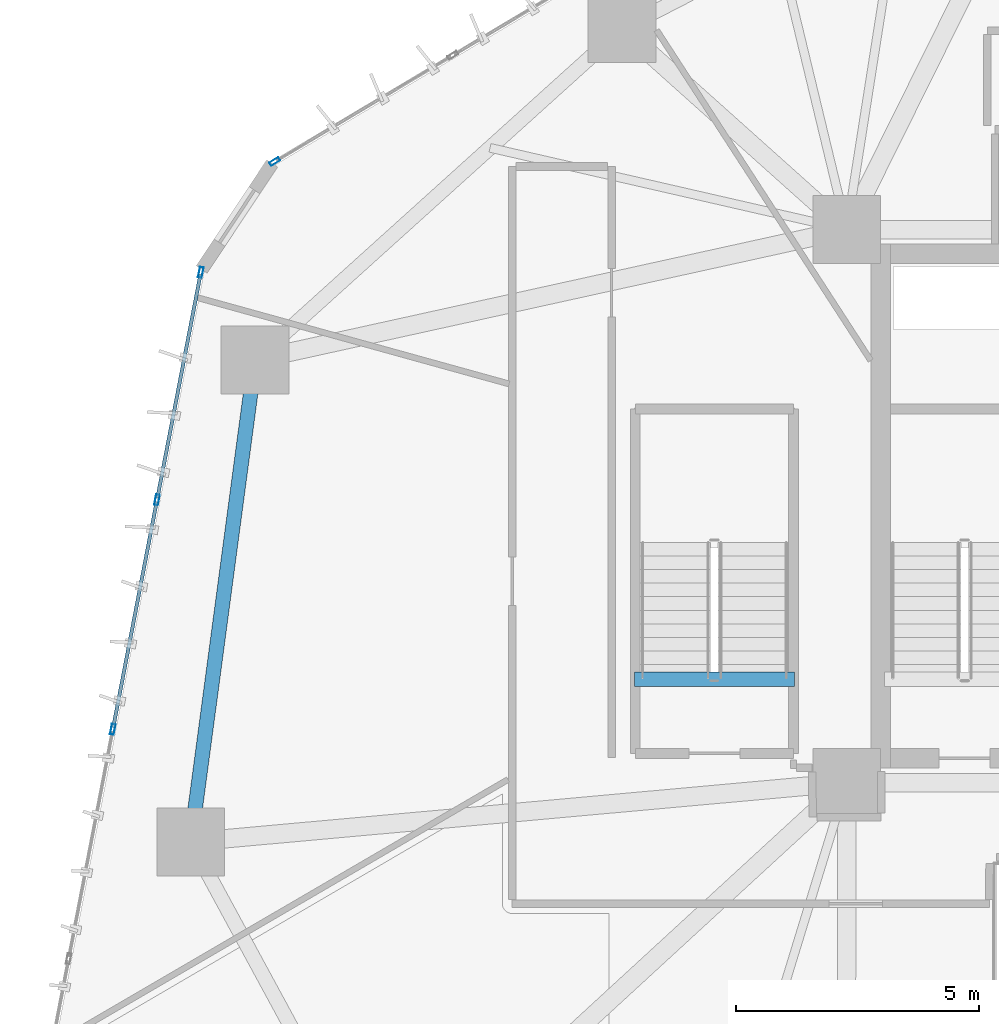
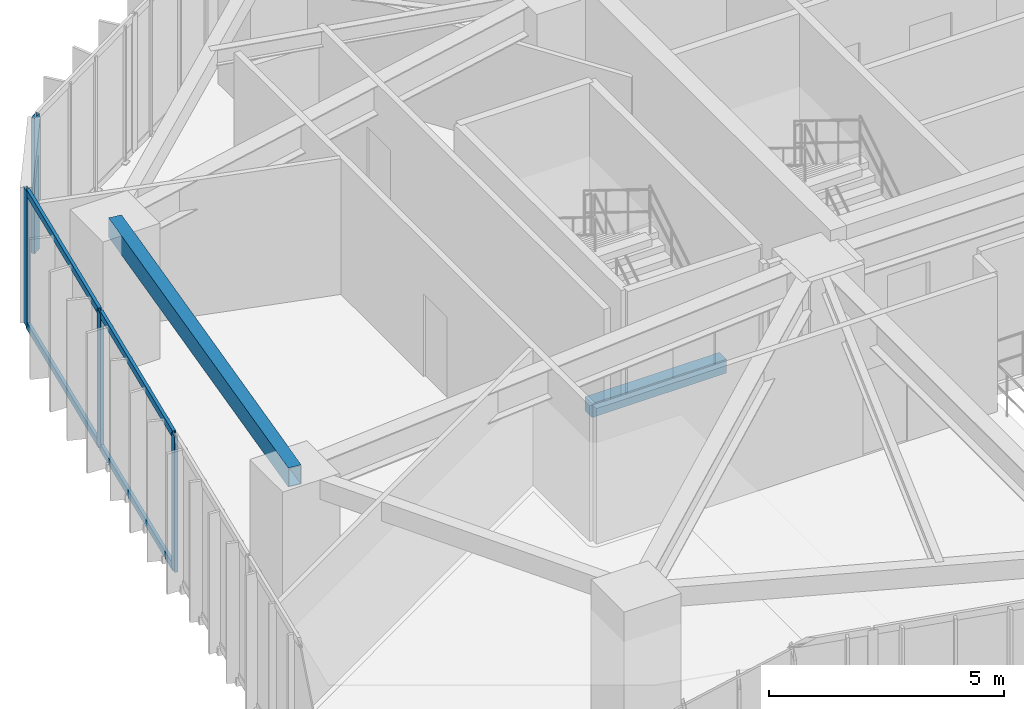
# One storey, part 6 of 23: 8 members, 2 beams, 2 elements without a shape of their own.
"""IFC4 building model written with IfcOpenShell, lengths in metres."""

from ifc_helpers import new_model, si_unit, direction, frame, origin, origin_2d, place, context, subcontext, project, spatial, rectangle, hollow_rectangle, extrude, source, transform, mapped, material, layer, layer_set, material_profile, profile_set, type_object, type_shapes, element, aggregate, save


model = new_model("IFC4")

# Units and contexts
model_context = context("Model", 3, precision=1e-05, world=origin(), true_north=direction((0.0, 1.0)))
body_context = subcontext(model_context, "Body", "Model", "MODEL_VIEW")
ifc_project = project(units=[si_unit("LENGTHUNIT", "METRE"), si_unit("AREAUNIT", "SQUARE_METRE"), si_unit("VOLUMEUNIT", "CUBIC_METRE"), si_unit("PLANEANGLEUNIT", "RADIAN"), si_unit("MASSUNIT", "GRAM", prefix="KILO")], contexts=[model_context])

# Site, building, storey
site_placement = place(None, origin())
site = spatial("IfcSite", under=ifc_project, at=site_placement, CompositionType="ELEMENT")
building_placement = place(site_placement, origin())
building = spatial("IfcBuilding", under=site, at=building_placement, Name="Talar Marvaseh", CompositionType="ELEMENT")
storey_placement = place(building_placement, frame((0.0, 0.0, 50.60009765625)))
storey = spatial("IfcBuildingStorey", under=building, at=storey_placement, Name="L12", CompositionType="ELEMENT", Elevation=50.60009765625)

# Beams
ifc_material_1 = material(Name="Concrete C40/50", Category="concrete")
ifc_material_profile_1 = material_profile(ifc_material_1, rectangle(XDim=0.300048828125, YDim=0.360107421875, at=origin_2d()), Name="RC300x360")
ifc_profile_set_1 = profile_set([ifc_material_profile_1], Name="Concrete C40/50")
beam_type_1 = type_object("IfcBeamType", Name="Concrete Stair Landing Trimmer Beam RC300x360", PredefinedType="SPANDREL", material=ifc_profile_set_1)
beam_1_placement = place(storey_placement, frame((17.6201171875, 27.6298828125, -0.18017578125), z_axis=(-1.0, 0.0, 0.0), x_axis=(0.0, -1.0, 0.0)))
element("IfcBeam", 1, at=beam_1_placement, inside=storey, type_object=beam_type_1, Name="L12 ST-3 Stair Nosing Trimmer Beam", PredefinedType="SPANDREL", context=body_context, shape_type="SweptSolid", body=[
    extrude(rectangle(XDim=0.300048828125, YDim=0.360107421875, at=origin_2d()), origin(), (0.0, 0.0, 1.0), 3.300048828125),
])
ifc_material_2 = material(Name="Steel S355", Category="steel")
ifc_material_profile_2 = material_profile(ifc_material_2, hollow_rectangle(XDim=0.300048828125, YDim=0.5, WallThickness=0.02001953125, at=origin_2d()), Name="RHS500x300x20")
ifc_profile_set_2 = profile_set([ifc_material_profile_2], Name="Steel S355")
beam_type_2 = type_object("IfcBeamType", Name="Zone 1 Perimeter Spandrel Beam RHS500x300x20", PredefinedType="SPANDREL", material=ifc_profile_set_2)
beam_2_placement = place(storey_placement, frame((5.175048828125, 24.27587890625, 3.27001953125), z_axis=(0.132340758564, 0.991204279461, 0.0), x_axis=(-0.991204279461, 0.132340758564, 0.0)))
element("IfcBeam", 2, at=beam_2_placement, inside=storey, type_object=beam_type_2, Name="L12 Zone 1 Perimeter Spandrel Beam RHS500x300x20", PredefinedType="SPANDREL", context=body_context, shape_type="SweptSolid", body=[
    extrude(hollow_rectangle(XDim=0.300048828125, YDim=0.5, WallThickness=0.02001953125, at=origin_2d()), origin(), (0.0, 0.0, 1.0), 10.0263671875),
])

# Curtain wall, members
ifc_material_3 = material(Name="Architectural Aluminium", Category="aluminium")
ifc_layer = layer(ifc_material_3, 0.219970703125)
ifc_layer_set = layer_set([ifc_layer], Name="Architectural Aluminium")
curtain_wall_type = type_object("IfcCurtainWallType", Name="Unitised Low-E Museum Curtain Wall Z1", PredefinedType="NOTDEFINED", material=ifc_layer_set)
curtain_wall_1_placement = place(storey_placement, origin())
curtain_wall_1 = element("IfcCurtainWall", 3, at=curtain_wall_1_placement, inside=storey, type_object=curtain_wall_type, Name="L12 Unitised Low-E Museum Curtain Wall Z1", PredefinedType="NOTDEFINED")
ifc_material_profile_3 = material_profile(ifc_material_3, hollow_rectangle(XDim=0.080078125, YDim=0.219970703125, WallThickness=0.0048828125, at=origin_2d()), Name="RHS220x80x5")
ifc_profile_set_3 = profile_set([ifc_material_profile_3], Name="Architectural Aluminium")
member_type_1 = type_object("IfcMemberType", Name="Unitised Curtain Wall Heavy Mullion RHS220x80x5", PredefinedType="MULLION", material=ifc_profile_set_3)
shared_shape_1 = source(origin(), body_context, "Body", "SweptSolid", [
    extrude(hollow_rectangle(XDim=0.080078125, YDim=0.219970703125, WallThickness=0.0048828125, at=origin_2d()), origin(), (0.0, 0.0, 1.0), 3.52001953125),
])
type_shapes(member_type_1, [shared_shape_1])
member_1_placement = place(storey_placement, frame((3.56982421875, 26.597412109375, 0.0), z_axis=(0.0, 0.0, 1.0), x_axis=(-0.981945681466, 0.189163100658, 0.0)))
member_1 = element("IfcMember", 4, at=member_1_placement, type_object=member_type_1, Name="CW-Z1 mullion 3", PredefinedType="MULLION", context=body_context, shape_type="MappedRepresentation", body=[
    mapped(shared_shape_1, transform((0.0, 0.0, 0.0), x_axis=(1.0, 0.0, 0.0), y_axis=(0.0, 1.0, 0.0), z_axis=(0.0, 0.0, 1.0), scale=1.0)),
])
member_2_placement = place(storey_placement, frame((4.48095703125, 31.3271484375, 0.0), z_axis=(0.0, 0.0, 1.0), x_axis=(-0.981945681466, 0.189163100658, 0.0)))
member_2 = element("IfcMember", 5, at=member_2_placement, type_object=member_type_1, Name="CW-Z1 mullion 4", PredefinedType="MULLION", context=body_context, shape_type="MappedRepresentation", body=[
    mapped(shared_shape_1, transform((0.0, 0.0, 0.0), x_axis=(1.0, 0.0, 0.0), y_axis=(0.0, 1.0, 0.0), z_axis=(0.0, 0.0, 1.0), scale=1.0)),
])
member_3_placement = place(storey_placement, frame((5.384521484375, 36.017578125, 0.0), z_axis=(0.0, 0.0, 1.0), x_axis=(-0.981945681466, 0.189163100658, 0.0)))
member_3 = element("IfcMember", 6, at=member_3_placement, type_object=member_type_1, Name="CW-Z1 mullion 5", PredefinedType="MULLION", context=body_context, shape_type="MappedRepresentation", body=[
    mapped(shared_shape_1, transform((0.0, 0.0, 0.0), x_axis=(1.0, 0.0, 0.0), y_axis=(0.0, 1.0, 0.0), z_axis=(0.0, 0.0, 1.0), scale=1.0)),
])

# Curtain wall, member
curtain_wall_2_placement = place(storey_placement, origin())
curtain_wall_2 = element("IfcCurtainWall", 7, at=curtain_wall_2_placement, inside=storey, type_object=curtain_wall_type, Name="L12 Unitised Low-E Museum Curtain Wall Z1", PredefinedType="NOTDEFINED")
member_4_placement = place(storey_placement, frame((6.9072265625, 38.302001953125, 0.0), z_axis=(0.0, 0.0, 1.0), x_axis=(-0.512310486248, 0.858800306055, 0.0)))
member_4 = element("IfcMember", 8, at=member_4_placement, type_object=member_type_1, Name="CW-Z1 mullion 1", PredefinedType="MULLION", context=body_context, shape_type="MappedRepresentation", body=[
    mapped(shared_shape_1, transform((0.0, 0.0, 0.0), x_axis=(1.0, 0.0, 0.0), y_axis=(0.0, 1.0, 0.0), z_axis=(0.0, 0.0, 1.0), scale=1.0)),
])
aggregate(curtain_wall_2, [member_4])

# Member
ifc_material_profile_4 = material_profile(ifc_material_3, hollow_rectangle(XDim=0.074951171875, YDim=0.179931640625, WallThickness=0.0048828125, at=origin_2d()), Name="RHS180x75x5")
ifc_profile_set_4 = profile_set([ifc_material_profile_4], Name="Architectural Aluminium")
member_type_2 = type_object("IfcMemberType", Name="Unitised Curtain Wall Transom RHS180x75x5", PredefinedType="USERDEFINED", material=ifc_profile_set_4)
shared_shape_2 = source(origin(), body_context, "Body", "SweptSolid", [
    extrude(hollow_rectangle(XDim=0.074951171875, YDim=0.179931640625, WallThickness=0.0048828125, at=origin_2d()), origin(), (0.0, 0.0, 1.0), 4.736572265625),
])
member_5_placement = place(storey_placement, frame((3.577392578125, 26.63671875, 0.037353515625), z_axis=(0.189162818258, 0.981945735868, 0.0), x_axis=(-0.981945735868, 0.189162818258, 0.0)))
member_5 = element("IfcMember", 9, at=member_5_placement, type_object=member_type_2, Name="CW-Z1 transom 3.1", ObjectType="TRANSOM", PredefinedType="USERDEFINED", context=body_context, shape_type="MappedRepresentation", body=[
    mapped(shared_shape_2, transform((0.0, 0.0, 0.0), x_axis=(1.0, 0.0, 0.0), y_axis=(0.0, 1.0, 0.0), z_axis=(0.0, 0.0, 1.0), scale=1.0)),
])

member_6_placement = place(storey_placement, frame((3.577392578125, 26.63671875, 3.482421875), z_axis=(0.189162818258, 0.981945735868, 0.0), x_axis=(-0.981945735868, 0.189162818258, 0.0)))
member_6 = element("IfcMember", 10, at=member_6_placement, type_object=member_type_2, Name="CW-Z1 transom 3.2", ObjectType="TRANSOM", PredefinedType="USERDEFINED", context=body_context, shape_type="MappedRepresentation", body=[
    mapped(shared_shape_2, transform((0.0, 0.0, 0.0), x_axis=(1.0, 0.0, 0.0), y_axis=(0.0, 1.0, 0.0), z_axis=(0.0, 0.0, 1.0), scale=1.0)),
])

shared_shape_3 = source(origin(), body_context, "Body", "SweptSolid", [
    extrude(hollow_rectangle(XDim=0.074951171875, YDim=0.179931640625, WallThickness=0.0048828125, at=origin_2d()), origin(), (0.0, 0.0, 1.0), 4.696533203125),
])
type_shapes(member_type_2, [shared_shape_2, shared_shape_3])
member_7_placement = place(storey_placement, frame((4.488525390625, 31.366455078125, 0.037353515625), z_axis=(0.189163578603, 0.981945589394, 0.0), x_axis=(-0.981945589394, 0.189163578603, 0.0)))
member_7 = element("IfcMember", 11, at=member_7_placement, type_object=member_type_2, Name="CW-Z1 transom 4.1", ObjectType="TRANSOM", PredefinedType="USERDEFINED", context=body_context, shape_type="MappedRepresentation", body=[
    mapped(shared_shape_3, transform((0.0, 0.0, 0.0), x_axis=(1.0, 0.0, 0.0), y_axis=(0.0, 1.0, 0.0), z_axis=(0.0, 0.0, 1.0), scale=1.0)),
])

member_8_placement = place(storey_placement, frame((4.488525390625, 31.366455078125, 3.482421875), z_axis=(0.189163578603, 0.981945589394, 0.0), x_axis=(-0.981945589394, 0.189163578603, 0.0)))
member_8 = element("IfcMember", 12, at=member_8_placement, type_object=member_type_2, Name="CW-Z1 transom 4.2", ObjectType="TRANSOM", PredefinedType="USERDEFINED", context=body_context, shape_type="MappedRepresentation", body=[
    mapped(shared_shape_3, transform((0.0, 0.0, 0.0), x_axis=(1.0, 0.0, 0.0), y_axis=(0.0, 1.0, 0.0), z_axis=(0.0, 0.0, 1.0), scale=1.0)),
])

aggregate(curtain_wall_1, [member_1, member_2, member_3, member_5, member_6, member_7, member_8])

save(model, "model.ifc")
